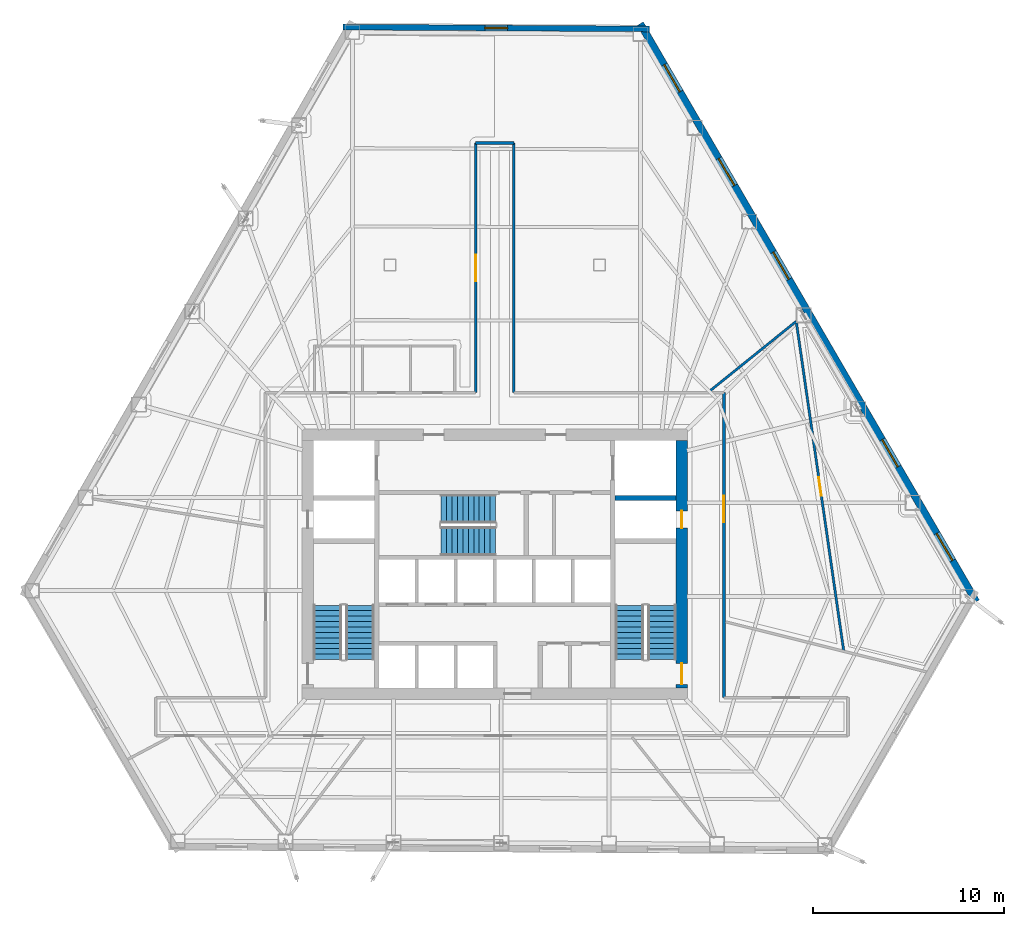
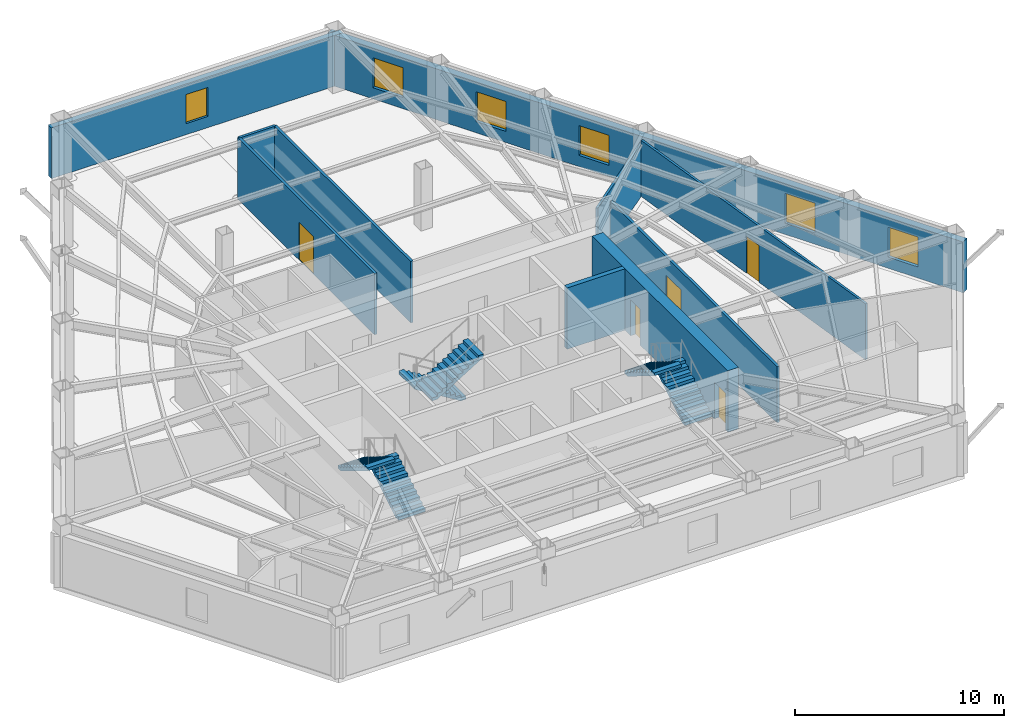
# One storey, part 9 of 12: 10 walls, 6 stair flights, 6 windows, 5 doors, 11 openings, 3 elements without a shape of their own.
"""IFC4 building model written with IfcOpenShell, lengths in metres."""

from ifc_helpers import new_model, si_unit, direction, frame, frame_2d, origin, place, context, subcontext, project, spatial, polyline, rectangle, outline, extrude, material, layer, layer_set, type_object, element, fill, aggregate, save


model = new_model("IFC4")

# Units and contexts
model_context = context("Model", 3, precision=1e-05, world=origin(), true_north=direction((0.0, 1.0)))
body_context = subcontext(model_context, "Body", "Model", "MODEL_VIEW")
ifc_project = project(units=[si_unit("LENGTHUNIT", "METRE"), si_unit("AREAUNIT", "SQUARE_METRE"), si_unit("VOLUMEUNIT", "CUBIC_METRE"), si_unit("PLANEANGLEUNIT", "RADIAN"), si_unit("MASSUNIT", "GRAM", prefix="KILO")], contexts=[model_context])

# Site, building, storey
site_placement = place(None, origin())
site = spatial("IfcSite", under=ifc_project, at=site_placement, CompositionType="ELEMENT")
building_placement = place(site_placement, origin())
building = spatial("IfcBuilding", under=site, at=building_placement, Name="Kavelnor Concourse Tower", CompositionType="ELEMENT")
storey_placement = place(building_placement, frame((0.0, 0.0, 44.5)))
storey = spatial("IfcBuildingStorey", under=building, at=storey_placement, Name="L11", CompositionType="ELEMENT", Elevation=44.5)

# Wall, openings, doors
ifc_material_1 = material(Name="Concrete C60/75", Category="concrete")
ifc_layer_1 = layer(ifc_material_1, 0.60009765625, Name="Concrete C60/75")
ifc_layer_set_1 = layer_set([ifc_layer_1], Name="Concrete C60/75")
wall_type_1 = type_object("IfcWallType", Name="WL-CORE-Z1-600", PredefinedType="SOLIDWALL", material=ifc_layer_set_1)
wall_1_placement = place(storey_placement, frame((47.820068359375, 9.60009765625, 0.0), z_axis=(0.0, 0.0, 1.0), x_axis=(0.0, 1.0, 0.0)))
wall_1 = element("IfcWall", 1, at=wall_1_placement, inside=storey, type_object=wall_type_1, Name="L11 Central Core East Shear Wall", PredefinedType="SOLIDWALL", context=body_context, shape_type="SweptSolid", body=[
    extrude(rectangle(XDim=13.0, YDim=0.60009765625, at=frame_2d((6.5, 0.0))), origin(), (0.0, 0.0, 1.0), 3.590087890625),
])
opening_1_placement = place(wall_1_placement, frame((0.199951171875, 0.0, 0.0)))
opening_1 = element("IfcOpeningElement", 2, at=opening_1_placement, cuts=wall_1, Name="Opening FD-110", PredefinedType="OPENING", context=body_context, shape_type="SweptSolid", body=[
    extrude(rectangle(XDim=1.10009765625, YDim=2.14990234375, at=frame_2d((0.550048828125, 1.074951171875))), frame((0.0, 0.31005859375, 0.0), z_axis=(0.0, -1.0, 0.0), x_axis=(1.0, 0.0, 0.0)), (0.0, 0.0, 1.0), 0.6201171875),
])
opening_2_placement = place(wall_1_placement, frame((8.39990234375, 0.0, 0.0)))
opening_2 = element("IfcOpeningElement", 3, at=opening_2_placement, cuts=wall_1, Name="Opening FD-090", PredefinedType="OPENING", context=body_context, shape_type="SweptSolid", body=[
    extrude(rectangle(XDim=0.89990234375, YDim=2.10009765625, at=frame_2d((0.449951171875, 1.050048828125))), frame((0.0, 0.31005859375, 0.0), z_axis=(0.0, -1.0, 0.0), x_axis=(1.0, 0.0, 0.0)), (0.0, 0.0, 1.0), 0.6201171875),
])
ifc_material_2 = material(Name="Steel Grade 350", Category="steel")
door_type_1 = type_object("IfcDoorType", Name="DR-RISER-FIRE-900", OperationType="NOTDEFINED", PredefinedType="DOOR", material=ifc_material_2)
door_1_placement = place(opening_2_placement, origin())
door_1 = element("IfcDoor", 4, at=door_1_placement, inside=storey, type_object=door_type_1, Name="L11 East Riser Access Door", OperationType="SINGLE_SWING_LEFT", OverallHeight=2.10009765625, OverallWidth=0.89990234375, PredefinedType="DOOR", context=body_context, shape_type="SweptSolid", body=[
    extrude(rectangle(XDim=0.89990234375, YDim=2.10009765625, at=frame_2d((0.449951171875, 1.050048828125))), frame((0.0, 0.02490234375, 0.0), z_axis=(0.0, -1.0, 0.0), x_axis=(1.0, 0.0, 0.0)), (0.0, 0.0, 1.0), 0.050048828125),
])
fill(opening_2, door_1)
door_type_2 = type_object("IfcDoorType", Name="DR-STAIR-FIRE-1100", OperationType="NOTDEFINED", PredefinedType="DOOR", material=ifc_material_2)
door_2_placement = place(opening_1_placement, origin())
door_2 = element("IfcDoor", 5, at=door_2_placement, inside=storey, type_object=door_type_2, Name="L11 Stair ST2 Fire Door", OperationType="SINGLE_SWING_RIGHT", OverallHeight=2.14990234375, OverallWidth=1.10009765625, PredefinedType="DOOR", context=body_context, shape_type="SweptSolid", body=[
    extrude(rectangle(XDim=1.10009765625, YDim=2.14990234375, at=frame_2d((0.550048828125, 1.074951171875))), frame((0.0, 0.02490234375, 0.0), z_axis=(0.0, -1.0, 0.0), x_axis=(1.0, 0.0, 0.0)), (0.0, 0.0, 1.0), 0.050048828125),
])
fill(opening_1, door_2)

# Wall, opening, window
ifc_material_3 = material(Name="Buff ironspot clay face brick masonry", Category="masonry")
ifc_layer_2 = layer(ifc_material_3, 0.300048828125, Name="Buff ironspot clay face brick masonry")
ifc_layer_set_2 = layer_set([ifc_layer_2], Name="Buff ironspot clay face brick masonry")
wall_type_2 = type_object("IfcWallType", Name="WL-EXT-BUFF-BRICK-FOLD-300", PredefinedType="STANDARD", material=ifc_layer_set_2)
wall_2_placement = place(storey_placement, frame((30.04833984375, 44.279296875, 0.0), z_axis=(0.0, 0.0, 1.0), x_axis=(0.999982070632, -0.005988189617, 0.0)))
wall_2 = element("IfcWall", 6, at=wall_2_placement, inside=storey, type_object=wall_type_2, Name="L11 Exterior Brick Facade Wall E0", PredefinedType="STANDARD", context=body_context, shape_type="SweptSolid", body=[
    extrude(rectangle(XDim=16.0634765625, YDim=0.300048828125, at=frame_2d((8.03173828125, 0.0))), origin(), (0.0, 0.0, 1.0), 2.969970703125),
])
opening_3_placement = place(wall_2_placement, frame((7.431884765625, 0.0, 0.64990234375)))
opening_3 = element("IfcOpeningElement", 7, at=opening_3_placement, cuts=wall_2, Name="Opening W-05", PredefinedType="OPENING", context=body_context, shape_type="SweptSolid", body=[
    extrude(rectangle(XDim=1.199951171875, YDim=1.699951171875, at=frame_2d((0.60009765625, 0.85009765625))), frame((0.0, 0.16015625, 0.0), z_axis=(0.0, -1.0, 0.0), x_axis=(1.0, 0.0, 0.0)), (0.0, 0.0, 1.0), 0.320068359375),
])
ifc_material_4 = material(Name="Double low-E argon insulated glazing", Category="glass")
window_type_1 = type_object("IfcWindowType", Name="WIN-FOLD-1200", PartitioningType="SINGLE_PANEL", PredefinedType="WINDOW", material=ifc_material_4)
window_1_placement = place(opening_3_placement, origin())
window_1 = element("IfcWindow", 8, at=window_1_placement, inside=storey, type_object=window_type_1, Name="L11 Chamfer-Fold Facet Window C0", OverallHeight=1.699951171875, OverallWidth=1.199951171875, PartitioningType="SINGLE_PANEL", PredefinedType="WINDOW", context=body_context, shape_type="SweptSolid", body=[
    extrude(rectangle(XDim=1.199951171875, YDim=1.699951171875, at=frame_2d((0.60009765625, 0.85009765625))), frame((0.0, 0.030029296875, 0.0), z_axis=(0.0, -1.0, 0.0), x_axis=(1.0, 0.0, 0.0)), (0.0, 0.0, 1.0), 0.06005859375),
])
fill(opening_3, window_1)

# Wall, openings, windows
ifc_material_5 = material(Name="Red-ochre clay face brick masonry", Category="masonry")
ifc_layer_3 = layer(ifc_material_5, 0.3798828125, Name="Red-ochre clay face brick masonry")
ifc_layer_set_3 = layer_set([ifc_layer_3], Name="Red-ochre clay face brick masonry")
wall_type_3 = type_object("IfcWallType", Name="WL-EXT-RED-BRICK-PIER-380", PredefinedType="STANDARD", material=ifc_layer_set_3)
wall_3_placement = place(storey_placement, frame((45.630859375, 44.461669921875, 0.0), z_axis=(0.0, 0.0, 1.0), x_axis=(0.502579693438, -0.864530885362, 0.0)))
wall_3 = element("IfcWall", 9, at=wall_3_placement, inside=storey, type_object=wall_type_3, Name="L11 Exterior Brick Facade Wall E5", PredefinedType="STANDARD", context=body_context, shape_type="SweptSolid", body=[
    extrude(rectangle(XDim=35.080810546875, YDim=0.3798828125, at=frame_2d((17.54052734375, 0.0))), origin(), (0.0, 0.0, 1.0), 2.969970703125),
])
opening_4_placement = place(wall_3_placement, frame((30.9345703125, 0.0, 0.64990234375)))
opening_4 = element("IfcOpeningElement", 10, at=opening_4_placement, cuts=wall_3, Name="Opening W-01", PredefinedType="OPENING", context=body_context, shape_type="SweptSolid", body=[
    extrude(rectangle(XDim=1.64990234375, YDim=1.75, at=frame_2d((0.824951171875, 0.875))), frame((0.0, 0.199951171875, 0.0), z_axis=(0.0, -1.0, 0.0), x_axis=(1.0, 0.0, 0.0)), (0.0, 0.0, 1.0), 0.39990234375),
])
opening_5_placement = place(wall_3_placement, frame((25.246337890625, 0.0, 0.64990234375)))
opening_5 = element("IfcOpeningElement", 11, at=opening_5_placement, cuts=wall_3, Name="Opening W-01", PredefinedType="OPENING", context=body_context, shape_type="SweptSolid", body=[
    extrude(rectangle(XDim=1.64990234375, YDim=1.75, at=frame_2d((0.824951171875, 0.875))), frame((0.0, 0.199951171875, 0.0), z_axis=(0.0, -1.0, 0.0), x_axis=(1.0, 0.0, 0.0)), (0.0, 0.0, 1.0), 0.39990234375),
])
opening_6_placement = place(wall_3_placement, frame((13.869873046875, 0.0, 0.64990234375)))
opening_6 = element("IfcOpeningElement", 12, at=opening_6_placement, cuts=wall_3, Name="Opening W-01", PredefinedType="OPENING", context=body_context, shape_type="SweptSolid", body=[
    extrude(rectangle(XDim=1.64990234375, YDim=1.75, at=frame_2d((0.824951171875, 0.875))), frame((0.0, 0.199951171875, 0.0), z_axis=(0.0, -1.0, 0.0), x_axis=(1.0, 0.0, 0.0)), (0.0, 0.0, 1.0), 0.39990234375),
])
opening_7_placement = place(wall_3_placement, frame((8.181640625, 0.0, 0.64990234375)))
opening_7 = element("IfcOpeningElement", 13, at=opening_7_placement, cuts=wall_3, Name="Opening W-01", PredefinedType="OPENING", context=body_context, shape_type="SweptSolid", body=[
    extrude(rectangle(XDim=1.64990234375, YDim=1.75, at=frame_2d((0.824951171875, 0.875))), frame((0.0, 0.199951171875, 0.0), z_axis=(0.0, -1.0, 0.0), x_axis=(1.0, 0.0, 0.0)), (0.0, 0.0, 1.0), 0.39990234375),
])
opening_8_placement = place(wall_3_placement, frame((2.493408203125, 0.0, 0.64990234375)))
opening_8 = element("IfcOpeningElement", 14, at=opening_8_placement, cuts=wall_3, Name="Opening W-01", PredefinedType="OPENING", context=body_context, shape_type="SweptSolid", body=[
    extrude(rectangle(XDim=1.64990234375, YDim=1.75, at=frame_2d((0.824951171875, 0.875))), frame((0.0, 0.199951171875, 0.0), z_axis=(0.0, -1.0, 0.0), x_axis=(1.0, 0.0, 0.0)), (0.0, 0.0, 1.0), 0.39990234375),
])
window_type_2 = type_object("IfcWindowType", Name="WIN-PIER-Z1-1800", PartitioningType="SINGLE_PANEL", PredefinedType="WINDOW", material=ifc_material_4)
window_2_placement = place(opening_4_placement, origin())
window_2 = element("IfcWindow", 15, at=window_2_placement, inside=storey, type_object=window_type_2, Name="L11 Deep-Set Brick Pier Window F2-B0", OverallHeight=1.75, OverallWidth=1.64990234375, PartitioningType="SINGLE_PANEL", PredefinedType="WINDOW", context=body_context, shape_type="SweptSolid", body=[
    extrude(rectangle(XDim=1.64990234375, YDim=1.75, at=frame_2d((0.824951171875, 0.875))), frame((0.0, 0.030029296875, 0.0), z_axis=(0.0, -1.0, 0.0), x_axis=(1.0, 0.0, 0.0)), (0.0, 0.0, 1.0), 0.06005859375),
])
fill(opening_4, window_2)
window_3_placement = place(opening_5_placement, origin())
window_3 = element("IfcWindow", 16, at=window_3_placement, inside=storey, type_object=window_type_2, Name="L11 Deep-Set Brick Pier Window F2-B1", OverallHeight=1.75, OverallWidth=1.64990234375, PartitioningType="SINGLE_PANEL", PredefinedType="WINDOW", context=body_context, shape_type="SweptSolid", body=[
    extrude(rectangle(XDim=1.64990234375, YDim=1.75, at=frame_2d((0.824951171875, 0.875))), frame((0.0, 0.030029296875, 0.0), z_axis=(0.0, -1.0, 0.0), x_axis=(1.0, 0.0, 0.0)), (0.0, 0.0, 1.0), 0.06005859375),
])
fill(opening_5, window_3)
window_4_placement = place(opening_6_placement, origin())
window_4 = element("IfcWindow", 17, at=window_4_placement, inside=storey, type_object=window_type_2, Name="L11 Deep-Set Brick Pier Window F2-B3", OverallHeight=1.75, OverallWidth=1.64990234375, PartitioningType="SINGLE_PANEL", PredefinedType="WINDOW", context=body_context, shape_type="SweptSolid", body=[
    extrude(rectangle(XDim=1.64990234375, YDim=1.75, at=frame_2d((0.824951171875, 0.875))), frame((0.0, 0.030029296875, 0.0), z_axis=(0.0, -1.0, 0.0), x_axis=(1.0, 0.0, 0.0)), (0.0, 0.0, 1.0), 0.06005859375),
])
fill(opening_6, window_4)
window_5_placement = place(opening_7_placement, origin())
window_5 = element("IfcWindow", 18, at=window_5_placement, inside=storey, type_object=window_type_2, Name="L11 Deep-Set Brick Pier Window F2-B4", OverallHeight=1.75, OverallWidth=1.64990234375, PartitioningType="SINGLE_PANEL", PredefinedType="WINDOW", context=body_context, shape_type="SweptSolid", body=[
    extrude(rectangle(XDim=1.64990234375, YDim=1.75, at=frame_2d((0.824951171875, 0.875))), frame((0.0, 0.030029296875, 0.0), z_axis=(0.0, -1.0, 0.0), x_axis=(1.0, 0.0, 0.0)), (0.0, 0.0, 1.0), 0.06005859375),
])
fill(opening_7, window_5)
window_6_placement = place(opening_8_placement, origin())
window_6 = element("IfcWindow", 19, at=window_6_placement, inside=storey, type_object=window_type_2, Name="L11 Deep-Set Brick Pier Window F2-B5", OverallHeight=1.75, OverallWidth=1.64990234375, PartitioningType="SINGLE_PANEL", PredefinedType="WINDOW", context=body_context, shape_type="SweptSolid", body=[
    extrude(rectangle(XDim=1.64990234375, YDim=1.75, at=frame_2d((0.824951171875, 0.875))), frame((0.0, 0.030029296875, 0.0), z_axis=(0.0, -1.0, 0.0), x_axis=(1.0, 0.0, 0.0)), (0.0, 0.0, 1.0), 0.06005859375),
])
fill(opening_8, window_6)

# Wall, opening, door
ifc_material_6 = material(Name="Gypsum plasterboard on light-gauge steel studs", Category="steel")
ifc_layer_4 = layer(ifc_material_6, 0.14501953125, Name="Gypsum plasterboard on light-gauge steel studs")
ifc_layer_set_4 = layer_set([ifc_layer_4], Name="Gypsum plasterboard on light-gauge steel studs")
wall_type_4 = type_object("IfcWallType", Name="WL-INT-CORR-145", PredefinedType="PARTITIONING", material=ifc_layer_set_4)
wall_4_placement = place(storey_placement, frame((37.0, 25.10009765625, 0.0), z_axis=(0.0, 0.0, 1.0), x_axis=(0.0, 1.0, 0.0)))
wall_4 = element("IfcWall", 20, at=wall_4_placement, inside=storey, type_object=wall_type_4, Name="L11 Corridor Wall WL-L11-CR-04", PredefinedType="PARTITIONING", context=body_context, shape_type="SweptSolid", body=[
    extrude(rectangle(XDim=13.099853515625, YDim=0.14501953125, at=frame_2d((6.5498046875, 0.0))), origin(), (0.0, 0.0, 1.0), 3.590087890625),
])
opening_9_placement = place(wall_4_placement, frame((5.85009765625, 0.0, 0.0)))
opening_9 = element("IfcOpeningElement", 21, at=opening_9_placement, cuts=wall_4, Name="Opening SD-140", PredefinedType="OPENING", context=body_context, shape_type="SweptSolid", body=[
    extrude(rectangle(XDim=1.39990234375, YDim=2.199951171875, at=frame_2d((0.699951171875, 1.10009765625))), frame((0.0, 0.08251953125, 0.0), z_axis=(0.0, -1.0, 0.0), x_axis=(1.0, 0.0, 0.0)), (0.0, 0.0, 1.0), 0.1650390625),
])
ifc_material_7 = material(Name="Solid-core hardwood timber", Category="wood")
door_type_3 = type_object("IfcDoorType", Name="DR-SUITE-ENTRY-1400", OperationType="NOTDEFINED", PredefinedType="DOOR", material=ifc_material_7)
door_3_placement = place(opening_9_placement, origin())
door_3 = element("IfcDoor", 22, at=door_3_placement, inside=storey, type_object=door_type_3, Name="L11 Client Concierge 03 Door", OperationType="SINGLE_SWING_LEFT", OverallHeight=2.199951171875, OverallWidth=1.39990234375, PredefinedType="DOOR", context=body_context, shape_type="SweptSolid", body=[
    extrude(rectangle(XDim=1.39990234375, YDim=2.199951171875, at=frame_2d((0.699951171875, 1.10009765625))), frame((0.0, 0.02490234375, 0.0), z_axis=(0.0, -1.0, 0.0), x_axis=(1.0, 0.0, 0.0)), (0.0, 0.0, 1.0), 0.050048828125),
])
fill(opening_9, door_3)

# Walls
wall_5_placement = place(storey_placement, frame((37.0, 38.199951171875, 0.0), z_axis=(0.0, 0.0, 1.0), x_axis=(1.0, 0.0, 0.0)))
element("IfcWall", 23, at=wall_5_placement, inside=storey, type_object=wall_type_4, Name="L11 Corridor Wall WL-L11-CR-05", PredefinedType="PARTITIONING", context=body_context, shape_type="SweptSolid", body=[
    extrude(rectangle(XDim=2.0, YDim=0.14501953125, at=frame_2d((1.0, 0.0))), origin(), (0.0, 0.0, 1.0), 3.590087890625),
])
wall_6_placement = place(storey_placement, frame((39.0, 38.199951171875, 0.0), z_axis=(0.0, 0.0, 1.0), x_axis=(0.0, -1.0, 0.0)))
element("IfcWall", 24, at=wall_6_placement, inside=storey, type_object=wall_type_4, Name="L11 Corridor Wall WL-L11-CR-06", PredefinedType="PARTITIONING", context=body_context, shape_type="SweptSolid", body=[
    extrude(rectangle(XDim=13.099853515625, YDim=0.14501953125, at=frame_2d((6.5498046875, 0.0))), origin(), (0.0, 0.0, 1.0), 3.590087890625),
])

# Wall, opening, door
wall_7_placement = place(storey_placement, frame((50.02001953125, 25.10009765625, 0.0), z_axis=(0.0, 0.0, 1.0), x_axis=(0.0, -1.0, 0.0)))
wall_7 = element("IfcWall", 25, at=wall_7_placement, inside=storey, type_object=wall_type_4, Name="L11 Corridor Wall WL-L11-CR-08", PredefinedType="PARTITIONING", context=body_context, shape_type="SweptSolid", body=[
    extrude(rectangle(XDim=16.0, YDim=0.14501953125, at=frame_2d((8.0, 0.0))), origin(), (0.0, 0.0, 1.0), 3.278076171875),
])
opening_10_placement = place(wall_7_placement, frame((5.393310546875, 0.0, 0.0)))
opening_10 = element("IfcOpeningElement", 26, at=opening_10_placement, cuts=wall_7, Name="Opening SD-140", PredefinedType="OPENING", context=body_context, shape_type="SweptSolid", body=[
    extrude(rectangle(XDim=1.39990234375, YDim=2.199951171875, at=frame_2d((0.699951171875, 1.10009765625))), frame((0.0, 0.08251953125, 0.0), z_axis=(0.0, -1.0, 0.0), x_axis=(1.0, 0.0, 0.0)), (0.0, 0.0, 1.0), 0.1650390625),
])
door_4_placement = place(opening_10_placement, origin())
door_4 = element("IfcDoor", 27, at=door_4_placement, inside=storey, type_object=door_type_3, Name="L11 Tenant Bookstore Retail Shop 01 Door", OperationType="SINGLE_SWING_LEFT", OverallHeight=2.199951171875, OverallWidth=1.39990234375, PredefinedType="DOOR", context=body_context, shape_type="SweptSolid", body=[
    extrude(rectangle(XDim=1.39990234375, YDim=2.199951171875, at=frame_2d((0.699951171875, 1.10009765625))), frame((0.0, 0.02490234375, 0.0), z_axis=(0.0, -1.0, 0.0), x_axis=(1.0, 0.0, 0.0)), (0.0, 0.0, 1.0), 0.050048828125),
])
fill(opening_10, door_4)

# Wall
ifc_layer_5 = layer(ifc_material_6, 0.125, Name="Gypsum plasterboard on light-gauge steel studs")
ifc_layer_set_5 = layer_set([ifc_layer_5], Name="Gypsum plasterboard on light-gauge steel studs")
wall_type_5 = type_object("IfcWallType", Name="WL-INT-SUITE-125", PredefinedType="PARTITIONING", material=ifc_layer_set_5)
wall_8_placement = place(storey_placement, frame((49.269775390625, 25.180419921875, 0.0), z_axis=(0.0, 0.0, 1.0), x_axis=(0.778683923626, 0.627416406453, 0.0)))
element("IfcWall", 28, at=wall_8_placement, inside=storey, type_object=wall_type_5, Name="L11 Radial Suite Partition 01", PredefinedType="PARTITIONING", context=body_context, shape_type="SweptSolid", body=[
    extrude(rectangle(XDim=5.8232421875, YDim=0.125, at=frame_2d((2.91162109375, 0.0))), origin(), (0.0, 0.0, 1.0), 3.056884765625),
])

# Wall, opening, door
wall_9_placement = place(storey_placement, frame((56.306884765625, 11.551025390625, 0.0), z_axis=(0.0, 0.0, 1.0), x_axis=(-0.142608983758, 0.989779105534, 0.0)))
wall_9 = element("IfcWall", 29, at=wall_9_placement, inside=storey, type_object=wall_type_5, Name="L11 Suite Subdivision Partition 01", PredefinedType="PARTITIONING", context=body_context, shape_type="SweptSolid", body=[
    extrude(rectangle(XDim=17.381591796875, YDim=0.125, at=frame_2d((8.69091796875, 0.0))), origin(), (0.0, 0.0, 1.0), 3.278076171875),
])
opening_11_placement = place(wall_9_placement, frame((8.22802734375, 0.0, 0.0)))
opening_11 = element("IfcOpeningElement", 30, at=opening_11_placement, cuts=wall_9, Name="Opening OD-098", PredefinedType="OPENING", context=body_context, shape_type="SweptSolid", body=[
    extrude(rectangle(XDim=0.97998046875, YDim=2.14990234375, at=frame_2d((0.489990234375, 1.074951171875))), frame((0.0, 0.072509765625, 0.0), z_axis=(0.0, -1.0, 0.0), x_axis=(1.0, 0.0, 0.0)), (0.0, 0.0, 1.0), 0.14501953125),
])
door_type_4 = type_object("IfcDoorType", Name="DR-OFFICE-980", OperationType="NOTDEFINED", PredefinedType="DOOR", material=ifc_material_7)
door_5_placement = place(opening_11_placement, origin())
door_5 = element("IfcDoor", 31, at=door_5_placement, inside=storey, type_object=door_type_4, Name="L11 Technical Reference Library 02 Door", OperationType="SINGLE_SWING_RIGHT", OverallHeight=2.14990234375, OverallWidth=0.97998046875, PredefinedType="DOOR", context=body_context, shape_type="SweptSolid", body=[
    extrude(rectangle(XDim=0.97998046875, YDim=2.14990234375, at=frame_2d((0.489990234375, 1.074951171875))), frame((0.0, 0.02490234375, 0.0), z_axis=(0.0, -1.0, 0.0), x_axis=(1.0, 0.0, 0.0)), (0.0, 0.0, 1.0), 0.050048828125),
])
fill(opening_11, door_5)

# Wall
ifc_material_8 = material(Name="Concrete C50/60", Category="concrete")
ifc_layer_6 = layer(ifc_material_8, 0.260009765625, Name="Concrete C50/60")
ifc_layer_set_6 = layer_set([ifc_layer_6], Name="Concrete C50/60")
wall_type_6 = type_object("IfcWallType", Name="WL-SHAFT-260", PredefinedType="SHEAR", material=ifc_layer_set_6)
wall_10_placement = place(storey_placement, frame((44.320068359375, 19.570068359375, 0.0), z_axis=(0.0, 0.0, 1.0), x_axis=(1.0, 0.0, 0.0)))
element("IfcWall", 32, at=wall_10_placement, inside=storey, type_object=wall_type_6, Name="L11 Emergency Lift FL2 South Shaft Wall", PredefinedType="SHEAR", context=body_context, shape_type="SweptSolid", body=[
    extrude(rectangle(XDim=3.199951171875, YDim=0.260009765625, at=frame_2d((1.60009765625, 0.0))), origin(), (0.0, 0.0, 1.0), 3.590087890625),
])

# Stair, stair flights
ifc_material_9 = material(Name="Concrete C40/50", Category="concrete")
stair_type = type_object("IfcStairType", Name="STR-CORE-1500", PredefinedType="HALF_TURN_STAIR", material=ifc_material_9)
stair_1_placement = place(storey_placement, origin())
stair_1 = element("IfcStair", 33, at=stair_1_placement, inside=storey, type_object=stair_type, Name="L11 ST1", PredefinedType="HALF_TURN_STAIR")
stair_flight_type = type_object("IfcStairFlightType", Name="STR-FLIGHT-1500", PredefinedType="STRAIGHT", material=ifc_material_9)
stair_flight_1_placement = place(storey_placement, frame((30.929931640625, 11.10009765625, 0.0), z_axis=(0.0, 0.0, 1.0), x_axis=(0.0, 1.0, 0.0)))
stair_flight_1 = element("IfcStairFlight", 34, at=stair_flight_1_placement, type_object=stair_flight_type, Name="ST1 flight 1", NumberOfRisers=11, NumberOfTreads=10, PredefinedType="STRAIGHT", RiserHeight=0.175, TreadLength=0.285, context=body_context, shape_type="SweptSolid", body=[
    extrude(outline(polyline([(0.0, 0.0), (0.0, 0.175048828125), (0.284912109375, 0.175048828125), (0.284912109375, 0.35009765625), (0.570068359375, 0.35009765625), (0.570068359375, 0.52490234375), (0.85498046875, 0.52490234375), (0.85498046875, 0.699951171875), (1.139892578125, 0.699951171875), (1.139892578125, 0.875), (1.425048828125, 0.875), (1.425048828125, 1.050048828125), (1.7099609375, 1.050048828125), (1.7099609375, 1.22509765625), (1.9951171875, 1.22509765625), (1.9951171875, 1.39990234375), (2.280029296875, 1.39990234375), (2.280029296875, 1.574951171875), (2.56494140625, 1.574951171875), (2.56494140625, 1.75), (2.85009765625, 1.75), (2.85009765625, 1.925048828125), (2.85009765625, 1.573974609375), (0.286376953125, 0.0), (0.0, 0.0)])), frame((0.0, 0.75, 0.0), z_axis=(0.0, -1.0, 0.0), x_axis=(1.0, 0.0, 0.0)), (0.0, 0.0, 1.0), 1.5),
])
stair_flight_2_placement = place(storey_placement, frame((29.22998046875, 13.949951171875, 1.925048828125), z_axis=(0.0, 0.0, 1.0), x_axis=(0.0, -1.0, 0.0)))
stair_flight_2 = element("IfcStairFlight", 35, at=stair_flight_2_placement, type_object=stair_flight_type, Name="ST1 flight 2", NumberOfRisers=11, NumberOfTreads=10, PredefinedType="STRAIGHT", RiserHeight=0.175, TreadLength=0.285, context=body_context, shape_type="SweptSolid", body=[
    extrude(outline(polyline([(0.0, 0.0), (0.0, 0.175048828125), (0.284912109375, 0.175048828125), (0.284912109375, 0.35009765625), (0.570068359375, 0.35009765625), (0.570068359375, 0.52490234375), (0.85498046875, 0.52490234375), (0.85498046875, 0.699951171875), (1.139892578125, 0.699951171875), (1.139892578125, 0.875), (1.425048828125, 0.875), (1.425048828125, 1.050048828125), (1.7099609375, 1.050048828125), (1.7099609375, 1.22509765625), (1.9951171875, 1.22509765625), (1.9951171875, 1.39990234375), (2.280029296875, 1.39990234375), (2.280029296875, 1.574951171875), (2.56494140625, 1.574951171875), (2.56494140625, 1.75), (2.85009765625, 1.75), (2.85009765625, 1.925048828125), (2.85009765625, 1.573974609375), (0.286376953125, 0.0), (0.0, 0.0)])), frame((0.0, 0.75, 0.0), z_axis=(0.0, -1.0, 0.0), x_axis=(1.0, 0.0, 0.0)), (0.0, 0.0, 1.0), 1.5),
])
aggregate(stair_1, [stair_flight_1, stair_flight_2])

stair_2_placement = place(storey_placement, origin())
stair_2 = element("IfcStair", 36, at=stair_2_placement, inside=storey, type_object=stair_type, Name="L11 ST2", PredefinedType="HALF_TURN_STAIR")
stair_flight_3_placement = place(storey_placement, frame((46.77001953125, 11.10009765625, 0.0), z_axis=(0.0, 0.0, 1.0), x_axis=(0.0, 1.0, 0.0)))
stair_flight_3 = element("IfcStairFlight", 37, at=stair_flight_3_placement, type_object=stair_flight_type, Name="ST2 flight 1", NumberOfRisers=11, NumberOfTreads=10, PredefinedType="STRAIGHT", RiserHeight=0.175, TreadLength=0.285, context=body_context, shape_type="SweptSolid", body=[
    extrude(outline(polyline([(0.0, 0.0), (0.0, 0.175048828125), (0.284912109375, 0.175048828125), (0.284912109375, 0.35009765625), (0.570068359375, 0.35009765625), (0.570068359375, 0.52490234375), (0.85498046875, 0.52490234375), (0.85498046875, 0.699951171875), (1.139892578125, 0.699951171875), (1.139892578125, 0.875), (1.425048828125, 0.875), (1.425048828125, 1.050048828125), (1.7099609375, 1.050048828125), (1.7099609375, 1.22509765625), (1.9951171875, 1.22509765625), (1.9951171875, 1.39990234375), (2.280029296875, 1.39990234375), (2.280029296875, 1.574951171875), (2.56494140625, 1.574951171875), (2.56494140625, 1.75), (2.85009765625, 1.75), (2.85009765625, 1.925048828125), (2.85009765625, 1.573974609375), (0.286376953125, 0.0), (0.0, 0.0)])), frame((0.0, 0.75, 0.0), z_axis=(0.0, -1.0, 0.0), x_axis=(1.0, 0.0, 0.0)), (0.0, 0.0, 1.0), 1.5),
])
stair_flight_4_placement = place(storey_placement, frame((45.070068359375, 13.949951171875, 1.925048828125), z_axis=(0.0, 0.0, 1.0), x_axis=(0.0, -1.0, 0.0)))
stair_flight_4 = element("IfcStairFlight", 38, at=stair_flight_4_placement, type_object=stair_flight_type, Name="ST2 flight 2", NumberOfRisers=11, NumberOfTreads=10, PredefinedType="STRAIGHT", RiserHeight=0.175, TreadLength=0.285, context=body_context, shape_type="SweptSolid", body=[
    extrude(outline(polyline([(0.0, 0.0), (0.0, 0.175048828125), (0.284912109375, 0.175048828125), (0.284912109375, 0.35009765625), (0.570068359375, 0.35009765625), (0.570068359375, 0.52490234375), (0.85498046875, 0.52490234375), (0.85498046875, 0.699951171875), (1.139892578125, 0.699951171875), (1.139892578125, 0.875), (1.425048828125, 0.875), (1.425048828125, 1.050048828125), (1.7099609375, 1.050048828125), (1.7099609375, 1.22509765625), (1.9951171875, 1.22509765625), (1.9951171875, 1.39990234375), (2.280029296875, 1.39990234375), (2.280029296875, 1.574951171875), (2.56494140625, 1.574951171875), (2.56494140625, 1.75), (2.85009765625, 1.75), (2.85009765625, 1.925048828125), (2.85009765625, 1.573974609375), (0.286376953125, 0.0), (0.0, 0.0)])), frame((0.0, 0.75, 0.0), z_axis=(0.0, -1.0, 0.0), x_axis=(1.0, 0.0, 0.0)), (0.0, 0.0, 1.0), 1.5),
])
aggregate(stair_2, [stair_flight_3, stair_flight_4])

stair_3_placement = place(storey_placement, origin())
stair_3 = element("IfcStair", 39, at=stair_3_placement, inside=storey, type_object=stair_type, Name="L11 ST3", PredefinedType="HALF_TURN_STAIR")
stair_flight_5_placement = place(storey_placement, frame((38.0400390625, 19.010009765625, 0.0), z_axis=(0.0, 0.0, 1.0), x_axis=(-1.0, 0.0, 0.0)))
stair_flight_5 = element("IfcStairFlight", 40, at=stair_flight_5_placement, type_object=stair_flight_type, Name="ST3 flight 1", NumberOfRisers=11, NumberOfTreads=10, PredefinedType="STRAIGHT", RiserHeight=0.175, TreadLength=0.285, context=body_context, shape_type="SweptSolid", body=[
    extrude(outline(polyline([(0.0, 0.0), (0.0, 0.175048828125), (0.284912109375, 0.175048828125), (0.284912109375, 0.35009765625), (0.570068359375, 0.35009765625), (0.570068359375, 0.52490234375), (0.85498046875, 0.52490234375), (0.85498046875, 0.699951171875), (1.139892578125, 0.699951171875), (1.139892578125, 0.875), (1.425048828125, 0.875), (1.425048828125, 1.050048828125), (1.7099609375, 1.050048828125), (1.7099609375, 1.22509765625), (1.9951171875, 1.22509765625), (1.9951171875, 1.39990234375), (2.280029296875, 1.39990234375), (2.280029296875, 1.574951171875), (2.56494140625, 1.574951171875), (2.56494140625, 1.75), (2.85009765625, 1.75), (2.85009765625, 1.925048828125), (2.85009765625, 1.573974609375), (0.286376953125, 0.0), (0.0, 0.0)])), frame((0.0, 0.75, 0.0), z_axis=(0.0, -1.0, 0.0), x_axis=(1.0, 0.0, 0.0)), (0.0, 0.0, 1.0), 1.5),
])
stair_flight_6_placement = place(storey_placement, frame((35.18994140625, 17.31005859375, 1.925048828125), z_axis=(0.0, 0.0, 1.0), x_axis=(1.0, 0.0, 0.0)))
stair_flight_6 = element("IfcStairFlight", 41, at=stair_flight_6_placement, type_object=stair_flight_type, Name="ST3 flight 2", NumberOfRisers=11, NumberOfTreads=10, PredefinedType="STRAIGHT", RiserHeight=0.175, TreadLength=0.285, context=body_context, shape_type="SweptSolid", body=[
    extrude(outline(polyline([(0.0, 0.0), (0.0, 0.175048828125), (0.284912109375, 0.175048828125), (0.284912109375, 0.35009765625), (0.570068359375, 0.35009765625), (0.570068359375, 0.52490234375), (0.85498046875, 0.52490234375), (0.85498046875, 0.699951171875), (1.139892578125, 0.699951171875), (1.139892578125, 0.875), (1.425048828125, 0.875), (1.425048828125, 1.050048828125), (1.7099609375, 1.050048828125), (1.7099609375, 1.22509765625), (1.9951171875, 1.22509765625), (1.9951171875, 1.39990234375), (2.280029296875, 1.39990234375), (2.280029296875, 1.574951171875), (2.56494140625, 1.574951171875), (2.56494140625, 1.75), (2.85009765625, 1.75), (2.85009765625, 1.925048828125), (2.85009765625, 1.573974609375), (0.286376953125, 0.0), (0.0, 0.0)])), frame((0.0, 0.75, 0.0), z_axis=(0.0, -1.0, 0.0), x_axis=(1.0, 0.0, 0.0)), (0.0, 0.0, 1.0), 1.5),
])
aggregate(stair_3, [stair_flight_5, stair_flight_6])

save(model, "model.ifc")
